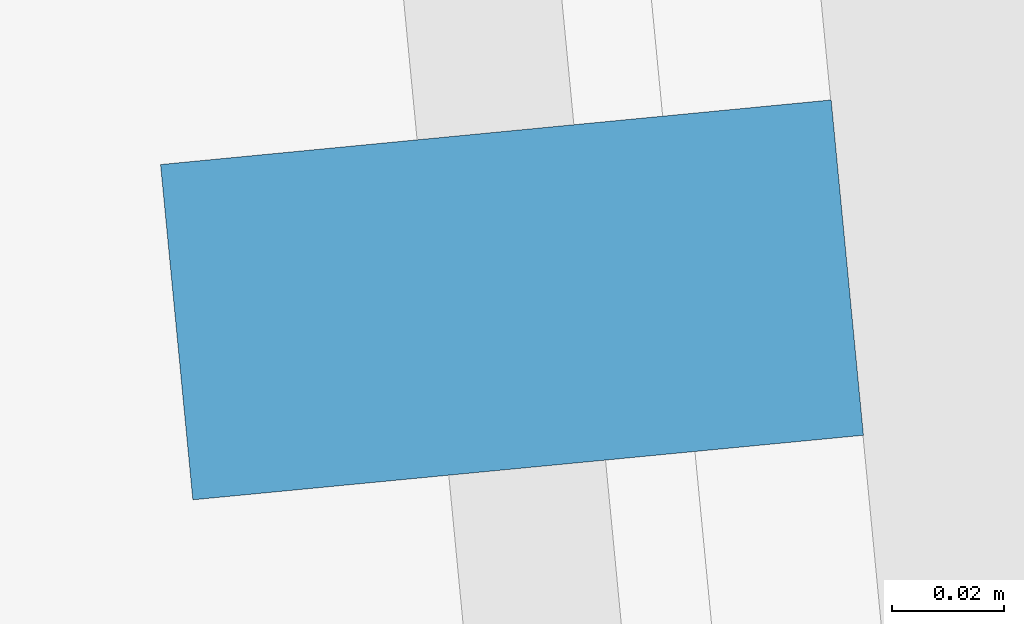
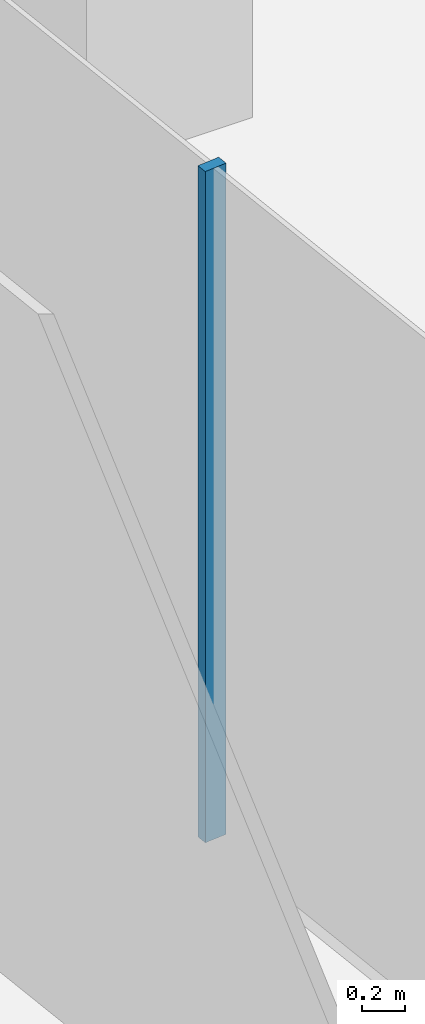
# One storey, part 9 of 23: 1 member, 1 element without a shape of its own.
"""IFC4 building model written with IfcOpenShell, lengths in metres."""

from ifc_helpers import new_model, si_unit, direction, frame, origin, origin_2d, place, context, subcontext, project, spatial, rectangle, extrude, material, layer, layer_set, material_profile, profile_set, type_object, element, aggregate, save


model = new_model("IFC4")

# Units and contexts
model_context = context("Model", 3, precision=1e-05, world=origin(), true_north=direction((0.0, 1.0)))
body_context = subcontext(model_context, "Body", "Model", "MODEL_VIEW")
ifc_project = project(units=[si_unit("LENGTHUNIT", "METRE"), si_unit("AREAUNIT", "SQUARE_METRE"), si_unit("VOLUMEUNIT", "CUBIC_METRE"), si_unit("PLANEANGLEUNIT", "RADIAN"), si_unit("MASSUNIT", "GRAM", prefix="KILO")], contexts=[model_context])

# Site, building, storey
site_placement = place(None, origin())
site = spatial("IfcSite", under=ifc_project, at=site_placement, CompositionType="ELEMENT")
building_placement = place(site_placement, origin())
building = spatial("IfcBuilding", under=site, at=building_placement, Name="Welwitschia Terrace Campus", CompositionType="ELEMENT")
storey_placement = place(building_placement, frame((0.0, 0.0, 205.39990234375)))
storey = spatial("IfcBuildingStorey", under=building, at=storey_placement, Name="L45", CompositionType="ELEMENT", Elevation=205.39990234375)

# Curtain wall, member
ifc_material_1 = material(Name="Bronze anodised aluminium", Category="aluminium")
ifc_layer = layer(ifc_material_1, 0.1201171875)
ifc_layer_set = layer_set([ifc_layer], Name="Bronze anodised aluminium")
curtain_wall_type = type_object("IfcCurtainWallType", Name="Curtain wall CW2 tower 6000", PredefinedType="NOTDEFINED", material=ifc_layer_set)
curtain_wall_placement = place(storey_placement, origin())
curtain_wall = element("IfcCurtainWall", 1, at=curtain_wall_placement, inside=storey, type_object=curtain_wall_type, Name="CW L45.11.0", PredefinedType="NOTDEFINED")
ifc_material_2 = material(Name="Bronze anodised aluminium", Category="aluminium")
ifc_material_profile = material_profile(ifc_material_2, rectangle(XDim=0.1201171875, YDim=0.06005859375, at=origin_2d()))
ifc_profile_set = profile_set([ifc_material_profile], Name="Bronze anodised aluminium")
member_type = type_object("IfcMemberType", Name="Mullion 60x120", PredefinedType="MULLION", material=ifc_profile_set)
member_placement = place(storey_placement, frame((-2.655517578125, 52.550048828125, 0.0), z_axis=(0.0, 0.0, 1.0), x_axis=(0.995396198367, 0.09584575252, 0.0)))
member = element("IfcMember", 2, at=member_placement, type_object=member_type, Name="Mullion L45.11.0.3", PredefinedType="MULLION", context=body_context, shape_type="SweptSolid", body=[
    extrude(rectangle(XDim=0.1201171875, YDim=0.06005859375, at=origin_2d()), origin(), (0.0, 0.0, 1.0), 3.85009765625),
])
aggregate(curtain_wall, [member])

save(model, "model.ifc")
